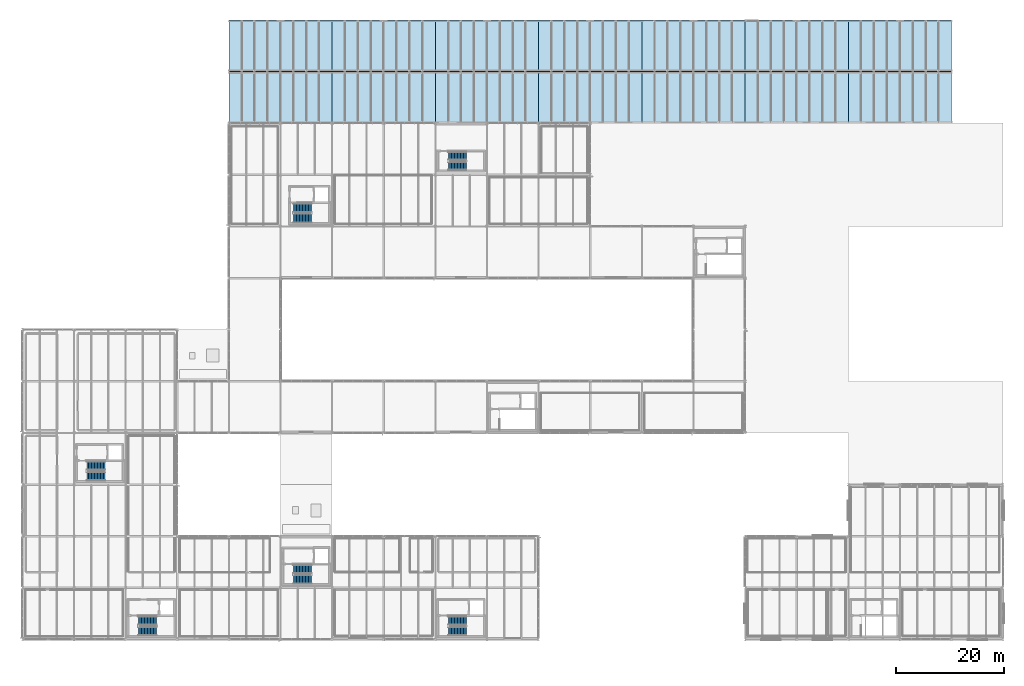
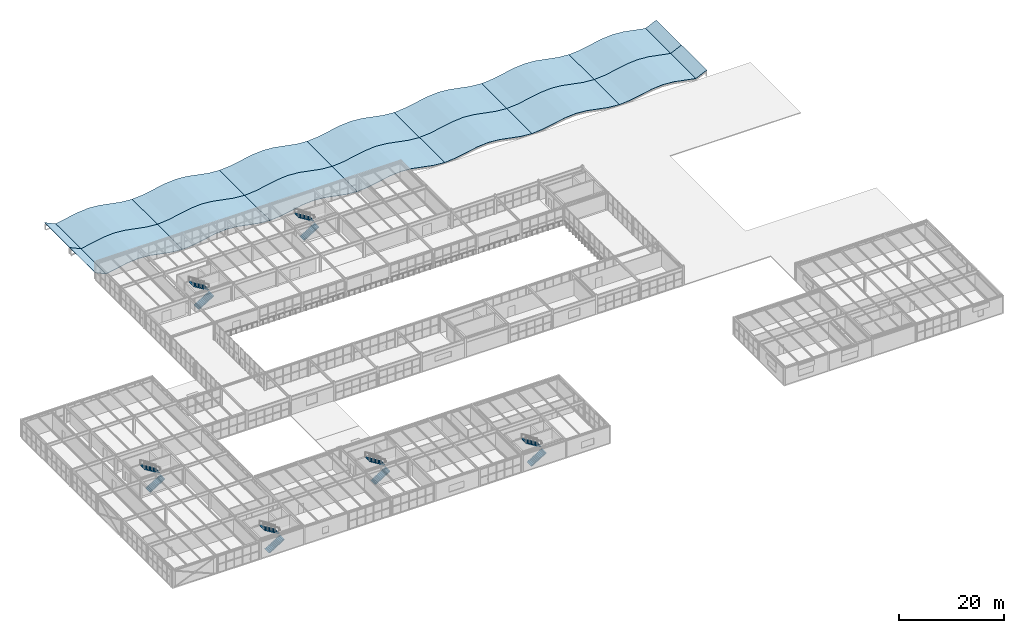
# One storey, part 157 of 170: 14 roofs, 12 stair flights, 6 elements without a shape of their own.
"""IFC4 building model written with IfcOpenShell, lengths in metres."""

import ifcopenshell
import ifcopenshell.guid

model = None  # the IFC model being written
_history = None  # IfcOwnerHistory: only IFC2X3 demands one
_inside = {}  # id of a spatial element -> (the spatial element, [elements in it])
_under = {}  # id of a project, library or spatial element -> (it, [spatial elements below it])
_declared = {}  # id of a project -> (the project, [libraries it declares])
_typed = {}  # id of a type object -> (the type object, [elements of that type])
_made_of = {}  # id of a material, layer set ... -> (it, [elements and type objects made of it])


def new_model(schema):
    """Start an empty IFC model of exactly this schema.

    Asked for "IFC4X3", IfcOpenShell would pick the latest addendum, in which some entities
    have other attributes; the version numbers below select the first issue.
    IFC2X3 requires an IfcOwnerHistory on every rooted entity: one is made here for all.
    """
    global model, _history
    if schema == "IFC4X3":
        model = ifcopenshell.file(schema_version=(4, 3, 0, 0))
    else:
        model = ifcopenshell.file(schema=schema)
    _inside.clear()
    _under.clear()
    _declared.clear()
    _typed.clear()
    _made_of.clear()
    _history = None
    if model.schema == "IFC2X3":
        org = make("IfcOrganization", Name="unknown")
        user = make(
            "IfcPersonAndOrganization",
            ThePerson=make("IfcPerson", FamilyName="unknown"),
            TheOrganization=org,
        )
        app = make(
            "IfcApplication",
            ApplicationDeveloper=org,
            Version="unknown",
            ApplicationFullName="unknown",
            ApplicationIdentifier="unknown",
        )
        _history = make(
            "IfcOwnerHistory",
            OwningUser=user,
            OwningApplication=app,
            ChangeAction="ADDED",
            CreationDate=0,
        )
    return model


def make(cls, **values):
    """One entity of the class cls with the attributes given. An attribute that is None is left unset."""
    return model.create_entity(
        cls, **{name: value for name, value in values.items() if value is not None}
    )


def rooted(cls, **values):
    """An entity with a GlobalId (a new one), such as an element, a storey or a relation."""
    return make(cls, GlobalId=ifcopenshell.guid.new(), OwnerHistory=_history, **values)


def si_unit(unit_type, name, prefix=None):
    """IfcSIUnit, for example si_unit("LENGTHUNIT", "METRE", prefix="MILLI")."""
    return make("IfcSIUnit", UnitType=unit_type, Prefix=prefix, Name=name)


def assignment(units):
    """IfcUnitAssignment: the units of a project."""
    return None if units is None else make("IfcUnitAssignment", Units=units)


def point(xyz):
    """IfcCartesianPoint."""
    return None if xyz is None else make("IfcCartesianPoint", Coordinates=xyz)


def direction(xyz):
    """IfcDirection."""
    return None if xyz is None else make("IfcDirection", DirectionRatios=xyz)


def frame(location, z_axis=None, x_axis=None):
    """IfcAxis2Placement3D, a coordinate frame: its origin and axes. An axis left out is left unset."""
    return make(
        "IfcAxis2Placement3D",
        Location=point(location),
        Axis=direction(z_axis),
        RefDirection=direction(x_axis),
    )


def origin():
    """The frame at (0, 0, 0) with its axes left unset."""
    return frame((0.0, 0.0, 0.0))


def place(relative_to, where):
    """IfcLocalPlacement: puts the frame where relative to a parent placement (None: the world)."""
    return make(
        "IfcLocalPlacement", PlacementRelTo=relative_to, RelativePlacement=where
    )


def context(
    kind, dimensions, precision=None, world=None, true_north=None, identifier=None
):
    """IfcGeometricRepresentationContext, for example the 3D "Model" context."""
    return make(
        "IfcGeometricRepresentationContext",
        ContextIdentifier=identifier,
        ContextType=kind,
        CoordinateSpaceDimension=dimensions,
        Precision=precision,
        WorldCoordinateSystem=world,
        TrueNorth=true_north,
    )


def subcontext(parent, identifier, kind, view, scale=None):
    """IfcGeometricRepresentationSubContext, for example "Body" below "Model"."""
    return make(
        "IfcGeometricRepresentationSubContext",
        ContextIdentifier=identifier,
        ContextType=kind,
        ParentContext=parent,
        TargetScale=scale,
        TargetView=view,
    )


def project(units=None, contexts=None):
    """IfcProject with its units and contexts."""
    return rooted(
        "IfcProject",
        Name="project",
        RepresentationContexts=contexts,
        UnitsInContext=assignment(units),
    )


def spatial(cls, under=None, at=None, **own):
    """A site, building, storey or space (cls), placed at a placement, below another one or the project."""
    s = rooted(cls, ObjectPlacement=at, **own)
    if under is not None:
        _under.setdefault(under.id(), (under, []))[1].append(s)
    return s


def polyline(points):
    """IfcPolyline through the points."""
    return make("IfcPolyline", Points=[point(p) for p in points])


def outline(outer, holes=None, kind="AREA"):
    """IfcArbitraryClosedProfileDef: a profile drawn as a closed curve; with holes, ...WithVoids."""
    if holes is None:
        return make("IfcArbitraryClosedProfileDef", ProfileType=kind, OuterCurve=outer)
    return make(
        "IfcArbitraryProfileDefWithVoids",
        ProfileType=kind,
        OuterCurve=outer,
        InnerCurves=holes,
    )


def extrude(swept, where, along, depth):
    """IfcExtrudedAreaSolid: the profile swept, set in the frame where, extruded along a direction by depth."""
    return make(
        "IfcExtrudedAreaSolid",
        SweptArea=swept,
        Position=where,
        ExtrudedDirection=direction(along),
        Depth=depth,
    )


def shape(context_of_items, identifier, shape_type, items):
    """IfcShapeRepresentation: the items that make up one representation, for example the "Body"."""
    return make(
        "IfcShapeRepresentation",
        ContextOfItems=context_of_items,
        RepresentationIdentifier=identifier,
        RepresentationType=shape_type,
        Items=items,
    )


def material(Name=None, Category=None):
    """IfcMaterial."""
    return make("IfcMaterial", Name=Name, Category=Category)


def layer(
    of_material, thickness, ventilated=None, Name=None, Category=None, Priority=None
):
    """IfcMaterialLayer: one layer of a wall or slab, of a material (None: an air gap)."""
    return make(
        "IfcMaterialLayer",
        Material=of_material,
        LayerThickness=thickness,
        IsVentilated=ventilated,
        Name=Name,
        Category=Category,
        Priority=Priority,
    )


def layer_set(layers, Name=None):
    """IfcMaterialLayerSet."""
    return make("IfcMaterialLayerSet", MaterialLayers=layers, LayerSetName=Name)


def made_of(thing, what):
    """Note that an element or type object is made of a material, layer set ...; save() writes the relation."""
    if what is not None:
        _made_of.setdefault(what.id(), (what, []))[1].append(thing)
    return thing


def type_object(cls, material=None, **own):
    """A type object (cls), such as IfcWallType, which elements share."""
    return made_of(rooted(cls, **own), material)


def element(
    cls,
    number,
    at=None,
    inside=None,
    cuts=None,
    type_object=None,
    material=None,
    context=None,
    identifier="Body",
    shape_type=None,
    held_by="IfcProductDefinitionShape",
    body=None,
    shapes=None,
    **own,
):
    """One element of the class cls, such as IfcWall. Its Tag is "e" and its number.

    at: its placement. inside: the storey or other place that contains it. cuts: it is an
    opening in that element (IfcRelVoidsElement). A single representation is given by context,
    identifier, shape_type and body (its items); several are given by shapes. held_by: the class
    of the entity that holds the representations. save() writes the other relations.
    """
    e = rooted(cls, Tag="e%d" % number, ObjectPlacement=at, **own)
    if body is not None:
        shapes = [shape(context, identifier, shape_type, body)]
    if shapes is not None:
        e.Representation = make(held_by, Representations=shapes)
    if inside is not None:
        _inside.setdefault(inside.id(), (inside, []))[1].append(e)
    if cuts is not None:
        rooted(
            "IfcRelVoidsElement", RelatingBuildingElement=cuts, RelatedOpeningElement=e
        )
    if type_object is not None:
        _typed.setdefault(type_object.id(), (type_object, []))[1].append(e)
    return made_of(e, material)


def aggregate(whole, parts):
    """IfcRelAggregates: a whole, such as a stair, and the parts it consists of."""
    return rooted("IfcRelAggregates", RelatingObject=whole, RelatedObjects=parts)


def save(model, path):
    """Write the relations noted so far, then the file.

    IfcRelAggregates (storeys below a building ...), IfcRelContainedInSpatialStructure (elements
    in a storey), IfcRelDefinesByType, IfcRelAssociatesMaterial and IfcRelDeclares: one each for
    every whole, place, type object, material and project.
    """
    for whole, parts in _under.values():
        aggregate(whole, parts)
    for where, things in _inside.values():
        rooted(
            "IfcRelContainedInSpatialStructure",
            RelatedElements=things,
            RelatingStructure=where,
        )
    for kind, things in _typed.values():
        rooted("IfcRelDefinesByType", RelatedObjects=things, RelatingType=kind)
    for what, things in _made_of.values():
        rooted("IfcRelAssociatesMaterial", RelatedObjects=things, RelatingMaterial=what)
    for by, libraries in _declared.values():
        rooted("IfcRelDeclares", RelatingContext=by, RelatedDefinitions=libraries)
    model.write(path)


model = new_model("IFC4")

# Units and contexts
model_context = context("Model", 3, precision=1e-05, world=origin(), true_north=direction((0.0, 1.0)))
body_context = subcontext(model_context, "Body", "Model", "MODEL_VIEW")
ifc_project = project(units=[si_unit("LENGTHUNIT", "METRE"), si_unit("AREAUNIT", "SQUARE_METRE"), si_unit("VOLUMEUNIT", "CUBIC_METRE"), si_unit("PLANEANGLEUNIT", "RADIAN"), si_unit("MASSUNIT", "GRAM", prefix="KILO")], contexts=[model_context])

# Site, building, storey
site_placement = place(None, origin())
site = spatial("IfcSite", under=ifc_project, at=site_placement, CompositionType="ELEMENT")
building_placement = place(site_placement, origin())
building = spatial("IfcBuilding", under=site, at=building_placement, Name="Coralgate Yard Interchange", CompositionType="ELEMENT")
storey_placement = place(building_placement, frame((0.0, 0.0, 6.0)))
storey = spatial("IfcBuildingStorey", under=building, at=storey_placement, Name="L01", CompositionType="ELEMENT", Elevation=6.0)

# Stair, stair flights
ifc_material_1 = material(Name="Concrete C40/50", Category="concrete")
stair_type_1 = type_object("IfcStairType", Name="STR-DL-158-45", PredefinedType="HALF_TURN_STAIR", material=ifc_material_1)
stair_1_placement = place(storey_placement, origin())
stair_1 = element("IfcStair", 1, at=stair_1_placement, inside=storey, type_object=stair_type_1, Name="L01 Escape stair ST-09", PredefinedType="HALF_TURN_STAIR")
stair_flight_type_1 = type_object("IfcStairFlightType", Name="STF-DL-158-45", PredefinedType="STRAIGHT", material=ifc_material_1)
stair_flight_1_placement = place(storey_placement, frame((79.199951171875, 88.050048828125, 0.0), z_axis=(0.0, 0.0, 1.0), x_axis=(1.0, 0.0, 0.0)))
stair_flight_1 = element("IfcStairFlight", 2, at=stair_flight_1_placement, type_object=stair_flight_type_1, Name="ST-09 flight 1", NumberOfRisers=13, NumberOfTreads=12, PredefinedType="STRAIGHT", RiserHeight=0.173076923, TreadLength=0.28, context=body_context, shape_type="SweptSolid", body=[
    extrude(outline(polyline([(0.0, 0.0), (0.0, 0.173095703125), (0.280029296875, 0.173095703125), (0.280029296875, 0.34619140625), (0.56005859375, 0.34619140625), (0.56005859375, 0.519287109375), (0.840087890625, 0.519287109375), (0.840087890625, 0.6923828125), (1.1201171875, 0.6923828125), (1.1201171875, 0.865478515625), (1.39990234375, 0.865478515625), (1.39990234375, 1.03857421875), (1.679931640625, 1.03857421875), (1.679931640625, 1.21142578125), (1.9599609375, 1.21142578125), (1.9599609375, 1.384521484375), (2.239990234375, 1.384521484375), (2.239990234375, 1.5576171875), (2.52001953125, 1.5576171875), (2.52001953125, 1.730712890625), (2.800048828125, 1.730712890625), (2.800048828125, 1.90380859375), (3.080078125, 1.90380859375), (3.080078125, 2.076904296875), (3.360107421875, 2.076904296875), (3.360107421875, 2.25), (3.360107421875, 1.888916015625), (0.30419921875, 0.0), (0.0, 0.0)])), frame((0.0, 0.7900390625, 0.0), z_axis=(0.0, -1.0, 0.0), x_axis=(1.0, 0.0, 0.0)), (0.0, 0.0, 1.0), 1.580078125),
])
stair_flight_2_placement = place(storey_placement, frame((82.56005859375, 89.919921875, 2.25), z_axis=(0.0, 0.0, 1.0), x_axis=(-1.0, 0.0, 0.0)))
stair_flight_2 = element("IfcStairFlight", 3, at=stair_flight_2_placement, type_object=stair_flight_type_1, Name="ST-09 flight 2", NumberOfRisers=13, NumberOfTreads=12, PredefinedType="STRAIGHT", RiserHeight=0.173076923, TreadLength=0.28, context=body_context, shape_type="SweptSolid", body=[
    extrude(outline(polyline([(0.0, 0.0), (0.0, 0.173095703125), (0.280029296875, 0.173095703125), (0.280029296875, 0.34619140625), (0.56005859375, 0.34619140625), (0.56005859375, 0.519287109375), (0.840087890625, 0.519287109375), (0.840087890625, 0.6923828125), (1.1201171875, 0.6923828125), (1.1201171875, 0.865478515625), (1.39990234375, 0.865478515625), (1.39990234375, 1.03857421875), (1.679931640625, 1.03857421875), (1.679931640625, 1.21142578125), (1.9599609375, 1.21142578125), (1.9599609375, 1.384521484375), (2.239990234375, 1.384521484375), (2.239990234375, 1.5576171875), (2.52001953125, 1.5576171875), (2.52001953125, 1.730712890625), (2.800048828125, 1.730712890625), (2.800048828125, 1.90380859375), (3.080078125, 1.90380859375), (3.080078125, 2.076904296875), (3.360107421875, 2.076904296875), (3.360107421875, 2.25), (3.360107421875, 1.888916015625), (0.30419921875, 0.0), (0.0, 0.0)])), frame((0.0, 0.7900390625, 0.0), z_axis=(0.0, -1.0, 0.0), x_axis=(1.0, 0.0, 0.0)), (0.0, 0.0, 1.0), 1.580078125),
])
aggregate(stair_1, [stair_flight_1, stair_flight_2])

stair_type_2 = type_object("IfcStairType", Name="STR-DL-165-45", PredefinedType="HALF_TURN_STAIR", material=ifc_material_1)
stair_2_placement = place(storey_placement, origin())
stair_2 = element("IfcStair", 4, at=stair_2_placement, inside=storey, type_object=stair_type_2, Name="L01 Escape stair ST-01", PredefinedType="HALF_TURN_STAIR")
stair_flight_type_2 = type_object("IfcStairFlightType", Name="STF-DL-165-45", PredefinedType="STRAIGHT", material=ifc_material_1)
stair_flight_3_placement = place(storey_placement, frame((12.0, 30.344970703125, 0.0), z_axis=(0.0, 0.0, 1.0), x_axis=(1.0, 0.0, 0.0)))
stair_flight_3 = element("IfcStairFlight", 5, at=stair_flight_3_placement, type_object=stair_flight_type_2, Name="ST-01 flight 1", NumberOfRisers=13, NumberOfTreads=12, PredefinedType="STRAIGHT", RiserHeight=0.173076923, TreadLength=0.28, context=body_context, shape_type="SweptSolid", body=[
    extrude(outline(polyline([(0.0, 0.0), (0.0, 0.173095703125), (0.280029296875, 0.173095703125), (0.280029296875, 0.34619140625), (0.56005859375, 0.34619140625), (0.56005859375, 0.519287109375), (0.840087890625, 0.519287109375), (0.840087890625, 0.6923828125), (1.1201171875, 0.6923828125), (1.1201171875, 0.865478515625), (1.39990234375, 0.865478515625), (1.39990234375, 1.03857421875), (1.679931640625, 1.03857421875), (1.679931640625, 1.21142578125), (1.9599609375, 1.21142578125), (1.9599609375, 1.384521484375), (2.239990234375, 1.384521484375), (2.239990234375, 1.5576171875), (2.52001953125, 1.5576171875), (2.52001953125, 1.730712890625), (2.800048828125, 1.730712890625), (2.800048828125, 1.90380859375), (3.080078125, 1.90380859375), (3.080078125, 2.076904296875), (3.360107421875, 2.076904296875), (3.360107421875, 2.25), (3.360107421875, 1.888916015625), (0.30419921875, 0.0), (0.0, 0.0)])), frame((0.0, 0.824951171875, 0.0), z_axis=(0.0, -1.0, 0.0), x_axis=(1.0, 0.0, 0.0)), (0.0, 0.0, 1.0), 1.64990234375),
])
stair_flight_4_placement = place(storey_placement, frame((15.360107421875, 32.284912109375, 2.25), z_axis=(0.0, 0.0, 1.0), x_axis=(-1.0, 0.0, 0.0)))
stair_flight_4 = element("IfcStairFlight", 6, at=stair_flight_4_placement, type_object=stair_flight_type_2, Name="ST-01 flight 2", NumberOfRisers=13, NumberOfTreads=12, PredefinedType="STRAIGHT", RiserHeight=0.173076923, TreadLength=0.28, context=body_context, shape_type="SweptSolid", body=[
    extrude(outline(polyline([(0.0, 0.0), (0.0, 0.173095703125), (0.280029296875, 0.173095703125), (0.280029296875, 0.34619140625), (0.56005859375, 0.34619140625), (0.56005859375, 0.519287109375), (0.840087890625, 0.519287109375), (0.840087890625, 0.6923828125), (1.1201171875, 0.6923828125), (1.1201171875, 0.865478515625), (1.39990234375, 0.865478515625), (1.39990234375, 1.03857421875), (1.679931640625, 1.03857421875), (1.679931640625, 1.21142578125), (1.9599609375, 1.21142578125), (1.9599609375, 1.384521484375), (2.239990234375, 1.384521484375), (2.239990234375, 1.5576171875), (2.52001953125, 1.5576171875), (2.52001953125, 1.730712890625), (2.800048828125, 1.730712890625), (2.800048828125, 1.90380859375), (3.080078125, 1.90380859375), (3.080078125, 2.076904296875), (3.360107421875, 2.076904296875), (3.360107421875, 2.25), (3.360107421875, 1.888916015625), (0.30419921875, 0.0), (0.0, 0.0)])), frame((0.0, 0.824951171875, 0.0), z_axis=(0.0, -1.0, 0.0), x_axis=(1.0, 0.0, 0.0)), (0.0, 0.0, 1.0), 1.64990234375),
])
aggregate(stair_2, [stair_flight_3, stair_flight_4])

stair_3_placement = place(storey_placement, origin())
stair_3 = element("IfcStair", 7, at=stair_3_placement, inside=storey, type_object=stair_type_2, Name="L01 Escape stair ST-02", PredefinedType="HALF_TURN_STAIR")
stair_flight_5_placement = place(storey_placement, frame((50.39990234375, 11.14501953125, 0.0), z_axis=(0.0, 0.0, 1.0), x_axis=(1.0, 0.0, 0.0)))
stair_flight_5 = element("IfcStairFlight", 8, at=stair_flight_5_placement, type_object=stair_flight_type_2, Name="ST-02 flight 1", NumberOfRisers=13, NumberOfTreads=12, PredefinedType="STRAIGHT", RiserHeight=0.173076923, TreadLength=0.28, context=body_context, shape_type="SweptSolid", body=[
    extrude(outline(polyline([(0.0, 0.0), (0.0, 0.173095703125), (0.280029296875, 0.173095703125), (0.280029296875, 0.34619140625), (0.56005859375, 0.34619140625), (0.56005859375, 0.519287109375), (0.840087890625, 0.519287109375), (0.840087890625, 0.6923828125), (1.1201171875, 0.6923828125), (1.1201171875, 0.865478515625), (1.39990234375, 0.865478515625), (1.39990234375, 1.03857421875), (1.679931640625, 1.03857421875), (1.679931640625, 1.21142578125), (1.9599609375, 1.21142578125), (1.9599609375, 1.384521484375), (2.239990234375, 1.384521484375), (2.239990234375, 1.5576171875), (2.52001953125, 1.5576171875), (2.52001953125, 1.730712890625), (2.800048828125, 1.730712890625), (2.800048828125, 1.90380859375), (3.080078125, 1.90380859375), (3.080078125, 2.076904296875), (3.360107421875, 2.076904296875), (3.360107421875, 2.25), (3.360107421875, 1.888916015625), (0.30419921875, 0.0), (0.0, 0.0)])), frame((0.0, 0.824951171875, 0.0), z_axis=(0.0, -1.0, 0.0), x_axis=(1.0, 0.0, 0.0)), (0.0, 0.0, 1.0), 1.64990234375),
])
stair_flight_6_placement = place(storey_placement, frame((53.760009765625, 13.0849609375, 2.25), z_axis=(0.0, 0.0, 1.0), x_axis=(-1.0, 0.0, 0.0)))
stair_flight_6 = element("IfcStairFlight", 9, at=stair_flight_6_placement, type_object=stair_flight_type_2, Name="ST-02 flight 2", NumberOfRisers=13, NumberOfTreads=12, PredefinedType="STRAIGHT", RiserHeight=0.173076923, TreadLength=0.28, context=body_context, shape_type="SweptSolid", body=[
    extrude(outline(polyline([(0.0, 0.0), (0.0, 0.173095703125), (0.280029296875, 0.173095703125), (0.280029296875, 0.34619140625), (0.56005859375, 0.34619140625), (0.56005859375, 0.519287109375), (0.840087890625, 0.519287109375), (0.840087890625, 0.6923828125), (1.1201171875, 0.6923828125), (1.1201171875, 0.865478515625), (1.39990234375, 0.865478515625), (1.39990234375, 1.03857421875), (1.679931640625, 1.03857421875), (1.679931640625, 1.21142578125), (1.9599609375, 1.21142578125), (1.9599609375, 1.384521484375), (2.239990234375, 1.384521484375), (2.239990234375, 1.5576171875), (2.52001953125, 1.5576171875), (2.52001953125, 1.730712890625), (2.800048828125, 1.730712890625), (2.800048828125, 1.90380859375), (3.080078125, 1.90380859375), (3.080078125, 2.076904296875), (3.360107421875, 2.076904296875), (3.360107421875, 2.25), (3.360107421875, 1.888916015625), (0.30419921875, 0.0), (0.0, 0.0)])), frame((0.0, 0.824951171875, 0.0), z_axis=(0.0, -1.0, 0.0), x_axis=(1.0, 0.0, 0.0)), (0.0, 0.0, 1.0), 1.64990234375),
])
aggregate(stair_3, [stair_flight_5, stair_flight_6])

stair_4_placement = place(storey_placement, origin())
stair_4 = element("IfcStair", 10, at=stair_4_placement, inside=storey, type_object=stair_type_2, Name="L01 Escape stair ST-03", PredefinedType="HALF_TURN_STAIR")
stair_flight_7_placement = place(storey_placement, frame((21.60009765625, 1.544921875, 0.0), z_axis=(0.0, 0.0, 1.0), x_axis=(1.0, 0.0, 0.0)))
stair_flight_7 = element("IfcStairFlight", 11, at=stair_flight_7_placement, type_object=stair_flight_type_2, Name="ST-03 flight 1", NumberOfRisers=13, NumberOfTreads=12, PredefinedType="STRAIGHT", RiserHeight=0.173076923, TreadLength=0.28, context=body_context, shape_type="SweptSolid", body=[
    extrude(outline(polyline([(0.0, 0.0), (0.0, 0.173095703125), (0.280029296875, 0.173095703125), (0.280029296875, 0.34619140625), (0.56005859375, 0.34619140625), (0.56005859375, 0.519287109375), (0.840087890625, 0.519287109375), (0.840087890625, 0.6923828125), (1.1201171875, 0.6923828125), (1.1201171875, 0.865478515625), (1.39990234375, 0.865478515625), (1.39990234375, 1.03857421875), (1.679931640625, 1.03857421875), (1.679931640625, 1.21142578125), (1.9599609375, 1.21142578125), (1.9599609375, 1.384521484375), (2.239990234375, 1.384521484375), (2.239990234375, 1.5576171875), (2.52001953125, 1.5576171875), (2.52001953125, 1.730712890625), (2.800048828125, 1.730712890625), (2.800048828125, 1.90380859375), (3.080078125, 1.90380859375), (3.080078125, 2.076904296875), (3.360107421875, 2.076904296875), (3.360107421875, 2.25), (3.360107421875, 1.888916015625), (0.30419921875, 0.0), (0.0, 0.0)])), frame((0.0, 0.824951171875, 0.0), z_axis=(0.0, -1.0, 0.0), x_axis=(1.0, 0.0, 0.0)), (0.0, 0.0, 1.0), 1.64990234375),
])
stair_flight_8_placement = place(storey_placement, frame((24.9599609375, 3.485107421875, 2.25), z_axis=(0.0, 0.0, 1.0), x_axis=(-1.0, 0.0, 0.0)))
stair_flight_8 = element("IfcStairFlight", 12, at=stair_flight_8_placement, type_object=stair_flight_type_2, Name="ST-03 flight 2", NumberOfRisers=13, NumberOfTreads=12, PredefinedType="STRAIGHT", RiserHeight=0.173076923, TreadLength=0.28, context=body_context, shape_type="SweptSolid", body=[
    extrude(outline(polyline([(0.0, 0.0), (0.0, 0.173095703125), (0.280029296875, 0.173095703125), (0.280029296875, 0.34619140625), (0.56005859375, 0.34619140625), (0.56005859375, 0.519287109375), (0.840087890625, 0.519287109375), (0.840087890625, 0.6923828125), (1.1201171875, 0.6923828125), (1.1201171875, 0.865478515625), (1.39990234375, 0.865478515625), (1.39990234375, 1.03857421875), (1.679931640625, 1.03857421875), (1.679931640625, 1.21142578125), (1.9599609375, 1.21142578125), (1.9599609375, 1.384521484375), (2.239990234375, 1.384521484375), (2.239990234375, 1.5576171875), (2.52001953125, 1.5576171875), (2.52001953125, 1.730712890625), (2.800048828125, 1.730712890625), (2.800048828125, 1.90380859375), (3.080078125, 1.90380859375), (3.080078125, 2.076904296875), (3.360107421875, 2.076904296875), (3.360107421875, 2.25), (3.360107421875, 1.888916015625), (0.30419921875, 0.0), (0.0, 0.0)])), frame((0.0, 0.824951171875, 0.0), z_axis=(0.0, -1.0, 0.0), x_axis=(1.0, 0.0, 0.0)), (0.0, 0.0, 1.0), 1.64990234375),
])
aggregate(stair_4, [stair_flight_7, stair_flight_8])

stair_5_placement = place(storey_placement, origin())
stair_5 = element("IfcStair", 13, at=stair_5_placement, inside=storey, type_object=stair_type_2, Name="L01 Escape stair ST-04", PredefinedType="HALF_TURN_STAIR")
stair_flight_9_placement = place(storey_placement, frame((79.199951171875, 1.544921875, 0.0), z_axis=(0.0, 0.0, 1.0), x_axis=(1.0, 0.0, 0.0)))
stair_flight_9 = element("IfcStairFlight", 14, at=stair_flight_9_placement, type_object=stair_flight_type_2, Name="ST-04 flight 1", NumberOfRisers=13, NumberOfTreads=12, PredefinedType="STRAIGHT", RiserHeight=0.173076923, TreadLength=0.28, context=body_context, shape_type="SweptSolid", body=[
    extrude(outline(polyline([(0.0, 0.0), (0.0, 0.173095703125), (0.280029296875, 0.173095703125), (0.280029296875, 0.34619140625), (0.56005859375, 0.34619140625), (0.56005859375, 0.519287109375), (0.840087890625, 0.519287109375), (0.840087890625, 0.6923828125), (1.1201171875, 0.6923828125), (1.1201171875, 0.865478515625), (1.39990234375, 0.865478515625), (1.39990234375, 1.03857421875), (1.679931640625, 1.03857421875), (1.679931640625, 1.21142578125), (1.9599609375, 1.21142578125), (1.9599609375, 1.384521484375), (2.239990234375, 1.384521484375), (2.239990234375, 1.5576171875), (2.52001953125, 1.5576171875), (2.52001953125, 1.730712890625), (2.800048828125, 1.730712890625), (2.800048828125, 1.90380859375), (3.080078125, 1.90380859375), (3.080078125, 2.076904296875), (3.360107421875, 2.076904296875), (3.360107421875, 2.25), (3.360107421875, 1.888916015625), (0.30419921875, 0.0), (0.0, 0.0)])), frame((0.0, 0.824951171875, 0.0), z_axis=(0.0, -1.0, 0.0), x_axis=(1.0, 0.0, 0.0)), (0.0, 0.0, 1.0), 1.64990234375),
])
stair_flight_10_placement = place(storey_placement, frame((82.56005859375, 3.485107421875, 2.25), z_axis=(0.0, 0.0, 1.0), x_axis=(-1.0, 0.0, 0.0)))
stair_flight_10 = element("IfcStairFlight", 15, at=stair_flight_10_placement, type_object=stair_flight_type_2, Name="ST-04 flight 2", NumberOfRisers=13, NumberOfTreads=12, PredefinedType="STRAIGHT", RiserHeight=0.173076923, TreadLength=0.28, context=body_context, shape_type="SweptSolid", body=[
    extrude(outline(polyline([(0.0, 0.0), (0.0, 0.173095703125), (0.280029296875, 0.173095703125), (0.280029296875, 0.34619140625), (0.56005859375, 0.34619140625), (0.56005859375, 0.519287109375), (0.840087890625, 0.519287109375), (0.840087890625, 0.6923828125), (1.1201171875, 0.6923828125), (1.1201171875, 0.865478515625), (1.39990234375, 0.865478515625), (1.39990234375, 1.03857421875), (1.679931640625, 1.03857421875), (1.679931640625, 1.21142578125), (1.9599609375, 1.21142578125), (1.9599609375, 1.384521484375), (2.239990234375, 1.384521484375), (2.239990234375, 1.5576171875), (2.52001953125, 1.5576171875), (2.52001953125, 1.730712890625), (2.800048828125, 1.730712890625), (2.800048828125, 1.90380859375), (3.080078125, 1.90380859375), (3.080078125, 2.076904296875), (3.360107421875, 2.076904296875), (3.360107421875, 2.25), (3.360107421875, 1.888916015625), (0.30419921875, 0.0), (0.0, 0.0)])), frame((0.0, 0.824951171875, 0.0), z_axis=(0.0, -1.0, 0.0), x_axis=(1.0, 0.0, 0.0)), (0.0, 0.0, 1.0), 1.64990234375),
])
aggregate(stair_5, [stair_flight_9, stair_flight_10])

stair_type_3 = type_object("IfcStairType", Name="STR-DL-175-45", PredefinedType="HALF_TURN_STAIR", material=ifc_material_1)
stair_6_placement = place(storey_placement, origin())
stair_6 = element("IfcStair", 16, at=stair_6_placement, inside=storey, type_object=stair_type_3, Name="L01 Escape stair ST-05", PredefinedType="HALF_TURN_STAIR")
stair_flight_type_3 = type_object("IfcStairFlightType", Name="STF-DL-175-45", PredefinedType="STRAIGHT", material=ifc_material_1)
stair_flight_11_placement = place(storey_placement, frame((50.39990234375, 78.324951171875, 0.0), z_axis=(0.0, 0.0, 1.0), x_axis=(1.0, 0.0, 0.0)))
stair_flight_11 = element("IfcStairFlight", 17, at=stair_flight_11_placement, type_object=stair_flight_type_3, Name="ST-05 flight 1", NumberOfRisers=13, NumberOfTreads=12, PredefinedType="STRAIGHT", RiserHeight=0.173076923, TreadLength=0.28, context=body_context, shape_type="SweptSolid", body=[
    extrude(outline(polyline([(0.0, 0.0), (0.0, 0.173095703125), (0.280029296875, 0.173095703125), (0.280029296875, 0.34619140625), (0.56005859375, 0.34619140625), (0.56005859375, 0.519287109375), (0.840087890625, 0.519287109375), (0.840087890625, 0.6923828125), (1.1201171875, 0.6923828125), (1.1201171875, 0.865478515625), (1.39990234375, 0.865478515625), (1.39990234375, 1.03857421875), (1.679931640625, 1.03857421875), (1.679931640625, 1.21142578125), (1.9599609375, 1.21142578125), (1.9599609375, 1.384521484375), (2.239990234375, 1.384521484375), (2.239990234375, 1.5576171875), (2.52001953125, 1.5576171875), (2.52001953125, 1.730712890625), (2.800048828125, 1.730712890625), (2.800048828125, 1.90380859375), (3.080078125, 1.90380859375), (3.080078125, 2.076904296875), (3.360107421875, 2.076904296875), (3.360107421875, 2.25), (3.360107421875, 1.888916015625), (0.30419921875, 0.0), (0.0, 0.0)])), frame((0.0, 0.875, 0.0), z_axis=(0.0, -1.0, 0.0), x_axis=(1.0, 0.0, 0.0)), (0.0, 0.0, 1.0), 1.75),
])
stair_flight_12_placement = place(storey_placement, frame((53.760009765625, 80.235107421875, 2.25), z_axis=(0.0, 0.0, 1.0), x_axis=(-1.0, 0.0, 0.0)))
stair_flight_12 = element("IfcStairFlight", 18, at=stair_flight_12_placement, type_object=stair_flight_type_3, Name="ST-05 flight 2", NumberOfRisers=13, NumberOfTreads=12, PredefinedType="STRAIGHT", RiserHeight=0.173076923, TreadLength=0.28, context=body_context, shape_type="SweptSolid", body=[
    extrude(outline(polyline([(0.0, 0.0), (0.0, 0.173095703125), (0.280029296875, 0.173095703125), (0.280029296875, 0.34619140625), (0.56005859375, 0.34619140625), (0.56005859375, 0.519287109375), (0.840087890625, 0.519287109375), (0.840087890625, 0.6923828125), (1.1201171875, 0.6923828125), (1.1201171875, 0.865478515625), (1.39990234375, 0.865478515625), (1.39990234375, 1.03857421875), (1.679931640625, 1.03857421875), (1.679931640625, 1.21142578125), (1.9599609375, 1.21142578125), (1.9599609375, 1.384521484375), (2.239990234375, 1.384521484375), (2.239990234375, 1.5576171875), (2.52001953125, 1.5576171875), (2.52001953125, 1.730712890625), (2.800048828125, 1.730712890625), (2.800048828125, 1.90380859375), (3.080078125, 1.90380859375), (3.080078125, 2.076904296875), (3.360107421875, 2.076904296875), (3.360107421875, 2.25), (3.360107421875, 1.888916015625), (0.30419921875, 0.0), (0.0, 0.0)])), frame((0.0, 0.875, 0.0), z_axis=(0.0, -1.0, 0.0), x_axis=(1.0, 0.0, 0.0)), (0.0, 0.0, 1.0), 1.75),
])
aggregate(stair_6, [stair_flight_11, stair_flight_12])

# Roofs
ifc_material_2 = material(Name="White PVDF-coated aluminium wave-shell roof assembly", Category="aluminium")
ifc_layer = layer(ifc_material_2, 0.10009765625)
ifc_layer_set = layer_set([ifc_layer], Name="White PVDF-coated aluminium wave-shell roof assembly")
roof_type = type_object("IfcRoofType", Name="ROF-WS1", PredefinedType="BARREL_ROOF", material=ifc_layer_set)
roof_1_placement = place(storey_placement, frame((38.39990234375, 96.0, 1.550048828125), z_axis=(0.0, 1.0, 0.0), x_axis=(-1.0, 0.0, 0.0)))
element("IfcRoof", 19, at=roof_1_placement, inside=storey, type_object=roof_type, Name="Light white upturned-end bus wave shell R1-W1", PredefinedType="BARREL_ROOF", context=body_context, shape_type="SweptSolid", body=[
    extrude(outline(polyline([(0.0, 0.0), (-2.400146484375, -1.109619140625), (-4.800048828125, -0.650146484375), (-7.2001953125, -0.1904296875), (-9.60009765625, 0.0), (-12.0, -0.1904296875), (-14.400146484375, -0.650146484375), (-16.800048828125, -1.109619140625), (-19.2001953125, -1.300048828125), (-19.2001953125, -1.400146484375), (-16.800048828125, -1.209716796875), (-14.400146484375, -0.750244140625), (-12.0, -0.29052734375), (-9.60009765625, -0.10009765625), (-7.2001953125, -0.29052734375), (-4.800048828125, -0.750244140625), (-2.400146484375, -1.209716796875), (0.0, -0.10009765625), (0.0, 0.0)])), origin(), (0.0, 0.0, 1.0), 9.60009765625),
])
roof_2_placement = place(storey_placement, frame((57.60009765625, 96.0, 0.25), z_axis=(0.0, 1.0, 0.0), x_axis=(-1.0, 0.0, 0.0)))
element("IfcRoof", 20, at=roof_2_placement, inside=storey, type_object=roof_type, Name="Light white upturned-end bus wave shell R1-W2", PredefinedType="BARREL_ROOF", context=body_context, shape_type="SweptSolid", body=[
    extrude(outline(polyline([(0.0, 0.0), (-2.39990234375, 0.1904296875), (-4.7998046875, 0.64990234375), (-7.199951171875, 1.109619140625), (-9.599853515625, 1.300048828125), (-12.0, 1.109619140625), (-14.39990234375, 0.64990234375), (-16.7998046875, 0.1904296875), (-19.199951171875, 0.0), (-19.199951171875, -0.10009765625), (-16.7998046875, 0.09033203125), (-14.39990234375, 0.5498046875), (-12.0, 1.009521484375), (-9.599853515625, 1.199951171875), (-7.199951171875, 1.009521484375), (-4.7998046875, 0.5498046875), (-2.39990234375, 0.09033203125), (0.0, -0.10009765625), (0.0, 0.0)])), origin(), (0.0, 0.0, 1.0), 9.60009765625),
])
roof_3_placement = place(storey_placement, frame((76.800048828125, 96.0, 0.25), z_axis=(0.0, 1.0, 0.0), x_axis=(-1.0, 0.0, 0.0)))
element("IfcRoof", 21, at=roof_3_placement, inside=storey, type_object=roof_type, Name="Light white upturned-end bus wave shell R1-W3", PredefinedType="BARREL_ROOF", context=body_context, shape_type="SweptSolid", body=[
    extrude(outline(polyline([(0.0, 0.0), (-2.39990234375, 0.1904296875), (-4.800048828125, 0.64990234375), (-7.199951171875, 1.109619140625), (-9.599853515625, 1.300048828125), (-12.0, 1.109619140625), (-14.39990234375, 0.64990234375), (-16.800048828125, 0.1904296875), (-19.199951171875, 0.0), (-19.199951171875, -0.10009765625), (-16.800048828125, 0.09033203125), (-14.39990234375, 0.5498046875), (-12.0, 1.009521484375), (-9.599853515625, 1.199951171875), (-7.199951171875, 1.009521484375), (-4.800048828125, 0.5498046875), (-2.39990234375, 0.09033203125), (0.0, -0.10009765625), (0.0, 0.0)])), origin(), (0.0, 0.0, 1.0), 9.60009765625),
])
roof_4_placement = place(storey_placement, frame((96.0, 96.0, 0.25), z_axis=(0.0, 1.0, 0.0), x_axis=(-1.0, 0.0, 0.0)))
element("IfcRoof", 22, at=roof_4_placement, inside=storey, type_object=roof_type, Name="Light white upturned-end bus wave shell R1-W4", PredefinedType="BARREL_ROOF", context=body_context, shape_type="SweptSolid", body=[
    extrude(outline(polyline([(0.0, 0.0), (-2.39990234375, 0.1904296875), (-4.800048828125, 0.64990234375), (-7.199951171875, 1.109619140625), (-9.60009765625, 1.300048828125), (-12.0, 1.109619140625), (-14.39990234375, 0.64990234375), (-16.800048828125, 0.1904296875), (-19.199951171875, 0.0), (-19.199951171875, -0.10009765625), (-16.800048828125, 0.09033203125), (-14.39990234375, 0.5498046875), (-12.0, 1.009521484375), (-9.60009765625, 1.199951171875), (-7.199951171875, 1.009521484375), (-4.800048828125, 0.5498046875), (-2.39990234375, 0.09033203125), (0.0, -0.10009765625), (0.0, 0.0)])), origin(), (0.0, 0.0, 1.0), 9.60009765625),
])
roof_5_placement = place(storey_placement, frame((115.199951171875, 96.0, 0.25), z_axis=(0.0, 1.0, 0.0), x_axis=(-1.0, 0.0, 0.0)))
element("IfcRoof", 23, at=roof_5_placement, inside=storey, type_object=roof_type, Name="Light white upturned-end bus wave shell R1-W5", PredefinedType="BARREL_ROOF", context=body_context, shape_type="SweptSolid", body=[
    extrude(outline(polyline([(0.0, 0.0), (-2.400146484375, 0.1904296875), (-4.800048828125, 0.64990234375), (-7.199951171875, 1.109619140625), (-9.60009765625, 1.300048828125), (-12.0, 1.109619140625), (-14.400146484375, 0.64990234375), (-16.800048828125, 0.1904296875), (-19.199951171875, 0.0), (-19.199951171875, -0.10009765625), (-16.800048828125, 0.09033203125), (-14.400146484375, 0.5498046875), (-12.0, 1.009521484375), (-9.60009765625, 1.199951171875), (-7.199951171875, 1.009521484375), (-4.800048828125, 0.5498046875), (-2.400146484375, 0.09033203125), (0.0, -0.10009765625), (0.0, 0.0)])), origin(), (0.0, 0.0, 1.0), 9.60009765625),
])
roof_6_placement = place(storey_placement, frame((134.39990234375, 96.0, 0.25), z_axis=(0.0, 1.0, 0.0), x_axis=(-1.0, 0.0, 0.0)))
element("IfcRoof", 24, at=roof_6_placement, inside=storey, type_object=roof_type, Name="Light white upturned-end bus wave shell R1-W6", PredefinedType="BARREL_ROOF", context=body_context, shape_type="SweptSolid", body=[
    extrude(outline(polyline([(0.0, 0.0), (-2.400146484375, 0.1904296875), (-4.800048828125, 0.64990234375), (-7.2001953125, 1.109619140625), (-9.60009765625, 1.300048828125), (-12.0, 1.109619140625), (-14.400146484375, 0.64990234375), (-16.800048828125, 0.1904296875), (-19.2001953125, 0.0), (-19.2001953125, -0.10009765625), (-16.800048828125, 0.09033203125), (-14.400146484375, 0.5498046875), (-12.0, 1.009521484375), (-9.60009765625, 1.199951171875), (-7.2001953125, 1.009521484375), (-4.800048828125, 0.5498046875), (-2.400146484375, 0.09033203125), (0.0, -0.10009765625), (0.0, 0.0)])), origin(), (0.0, 0.0, 1.0), 9.60009765625),
])
roof_7_placement = place(storey_placement, frame((153.60009765625, 96.0, 0.25), z_axis=(0.0, 1.0, 0.0), x_axis=(-1.0, 0.0, 0.0)))
element("IfcRoof", 25, at=roof_7_placement, inside=storey, type_object=roof_type, Name="Light white upturned-end bus wave shell R1-W7", PredefinedType="BARREL_ROOF", context=body_context, shape_type="SweptSolid", body=[
    extrude(outline(polyline([(0.0, 0.0), (-2.39990234375, 0.1904296875), (-4.7998046875, 0.64990234375), (-7.199951171875, 1.109619140625), (-9.599853515625, 1.300048828125), (-12.0, 1.109619140625), (-14.39990234375, 0.64990234375), (-16.7998046875, 0.1904296875), (-19.199951171875, 1.300048828125), (-19.199951171875, 1.199951171875), (-16.7998046875, 0.09033203125), (-14.39990234375, 0.5498046875), (-12.0, 1.009521484375), (-9.599853515625, 1.199951171875), (-7.199951171875, 1.009521484375), (-4.7998046875, 0.5498046875), (-2.39990234375, 0.09033203125), (0.0, -0.10009765625), (0.0, 0.0)])), origin(), (0.0, 0.0, 1.0), 9.60009765625),
])
roof_8_placement = place(storey_placement, frame((38.39990234375, 105.60009765625, 1.550048828125), z_axis=(0.0, 1.0, 0.0), x_axis=(-1.0, 0.0, 0.0)))
element("IfcRoof", 26, at=roof_8_placement, inside=storey, type_object=roof_type, Name="Light white upturned-end bus wave shell R2-W1", PredefinedType="BARREL_ROOF", context=body_context, shape_type="SweptSolid", body=[
    extrude(outline(polyline([(0.0, 0.0), (-2.400146484375, -1.109619140625), (-4.800048828125, -0.650146484375), (-7.2001953125, -0.1904296875), (-9.60009765625, 0.0), (-12.0, -0.1904296875), (-14.400146484375, -0.650146484375), (-16.800048828125, -1.109619140625), (-19.2001953125, -1.300048828125), (-19.2001953125, -1.400146484375), (-16.800048828125, -1.209716796875), (-14.400146484375, -0.750244140625), (-12.0, -0.29052734375), (-9.60009765625, -0.10009765625), (-7.2001953125, -0.29052734375), (-4.800048828125, -0.750244140625), (-2.400146484375, -1.209716796875), (0.0, -0.10009765625), (0.0, 0.0)])), origin(), (0.0, 0.0, 1.0), 9.599853515625),
])
roof_9_placement = place(storey_placement, frame((57.60009765625, 105.60009765625, 0.25), z_axis=(0.0, 1.0, 0.0), x_axis=(-1.0, 0.0, 0.0)))
element("IfcRoof", 27, at=roof_9_placement, inside=storey, type_object=roof_type, Name="Light white upturned-end bus wave shell R2-W2", PredefinedType="BARREL_ROOF", context=body_context, shape_type="SweptSolid", body=[
    extrude(outline(polyline([(0.0, 0.0), (-2.39990234375, 0.1904296875), (-4.7998046875, 0.64990234375), (-7.199951171875, 1.109619140625), (-9.599853515625, 1.300048828125), (-12.0, 1.109619140625), (-14.39990234375, 0.64990234375), (-16.7998046875, 0.1904296875), (-19.199951171875, 0.0), (-19.199951171875, -0.10009765625), (-16.7998046875, 0.09033203125), (-14.39990234375, 0.5498046875), (-12.0, 1.009521484375), (-9.599853515625, 1.199951171875), (-7.199951171875, 1.009521484375), (-4.7998046875, 0.5498046875), (-2.39990234375, 0.09033203125), (0.0, -0.10009765625), (0.0, 0.0)])), origin(), (0.0, 0.0, 1.0), 9.599853515625),
])
roof_10_placement = place(storey_placement, frame((76.800048828125, 105.60009765625, 0.25), z_axis=(0.0, 1.0, 0.0), x_axis=(-1.0, 0.0, 0.0)))
element("IfcRoof", 28, at=roof_10_placement, inside=storey, type_object=roof_type, Name="Light white upturned-end bus wave shell R2-W3", PredefinedType="BARREL_ROOF", context=body_context, shape_type="SweptSolid", body=[
    extrude(outline(polyline([(0.0, 0.0), (-2.39990234375, 0.1904296875), (-4.800048828125, 0.64990234375), (-7.199951171875, 1.109619140625), (-9.599853515625, 1.300048828125), (-12.0, 1.109619140625), (-14.39990234375, 0.64990234375), (-16.800048828125, 0.1904296875), (-19.199951171875, 0.0), (-19.199951171875, -0.10009765625), (-16.800048828125, 0.09033203125), (-14.39990234375, 0.5498046875), (-12.0, 1.009521484375), (-9.599853515625, 1.199951171875), (-7.199951171875, 1.009521484375), (-4.800048828125, 0.5498046875), (-2.39990234375, 0.09033203125), (0.0, -0.10009765625), (0.0, 0.0)])), origin(), (0.0, 0.0, 1.0), 9.599853515625),
])
roof_11_placement = place(storey_placement, frame((96.0, 105.60009765625, 0.25), z_axis=(0.0, 1.0, 0.0), x_axis=(-1.0, 0.0, 0.0)))
element("IfcRoof", 29, at=roof_11_placement, inside=storey, type_object=roof_type, Name="Light white upturned-end bus wave shell R2-W4", PredefinedType="BARREL_ROOF", context=body_context, shape_type="SweptSolid", body=[
    extrude(outline(polyline([(0.0, 0.0), (-2.39990234375, 0.1904296875), (-4.800048828125, 0.64990234375), (-7.199951171875, 1.109619140625), (-9.60009765625, 1.300048828125), (-12.0, 1.109619140625), (-14.39990234375, 0.64990234375), (-16.800048828125, 0.1904296875), (-19.199951171875, 0.0), (-19.199951171875, -0.10009765625), (-16.800048828125, 0.09033203125), (-14.39990234375, 0.5498046875), (-12.0, 1.009521484375), (-9.60009765625, 1.199951171875), (-7.199951171875, 1.009521484375), (-4.800048828125, 0.5498046875), (-2.39990234375, 0.09033203125), (0.0, -0.10009765625), (0.0, 0.0)])), origin(), (0.0, 0.0, 1.0), 9.599853515625),
])
roof_12_placement = place(storey_placement, frame((115.199951171875, 105.60009765625, 0.25), z_axis=(0.0, 1.0, 0.0), x_axis=(-1.0, 0.0, 0.0)))
element("IfcRoof", 30, at=roof_12_placement, inside=storey, type_object=roof_type, Name="Light white upturned-end bus wave shell R2-W5", PredefinedType="BARREL_ROOF", context=body_context, shape_type="SweptSolid", body=[
    extrude(outline(polyline([(0.0, 0.0), (-2.400146484375, 0.1904296875), (-4.800048828125, 0.64990234375), (-7.199951171875, 1.109619140625), (-9.60009765625, 1.300048828125), (-12.0, 1.109619140625), (-14.400146484375, 0.64990234375), (-16.800048828125, 0.1904296875), (-19.199951171875, 0.0), (-19.199951171875, -0.10009765625), (-16.800048828125, 0.09033203125), (-14.400146484375, 0.5498046875), (-12.0, 1.009521484375), (-9.60009765625, 1.199951171875), (-7.199951171875, 1.009521484375), (-4.800048828125, 0.5498046875), (-2.400146484375, 0.09033203125), (0.0, -0.10009765625), (0.0, 0.0)])), origin(), (0.0, 0.0, 1.0), 9.599853515625),
])
roof_13_placement = place(storey_placement, frame((134.39990234375, 105.60009765625, 0.25), z_axis=(0.0, 1.0, 0.0), x_axis=(-1.0, 0.0, 0.0)))
element("IfcRoof", 31, at=roof_13_placement, inside=storey, type_object=roof_type, Name="Light white upturned-end bus wave shell R2-W6", PredefinedType="BARREL_ROOF", context=body_context, shape_type="SweptSolid", body=[
    extrude(outline(polyline([(0.0, 0.0), (-2.400146484375, 0.1904296875), (-4.800048828125, 0.64990234375), (-7.2001953125, 1.109619140625), (-9.60009765625, 1.300048828125), (-12.0, 1.109619140625), (-14.400146484375, 0.64990234375), (-16.800048828125, 0.1904296875), (-19.2001953125, 0.0), (-19.2001953125, -0.10009765625), (-16.800048828125, 0.09033203125), (-14.400146484375, 0.5498046875), (-12.0, 1.009521484375), (-9.60009765625, 1.199951171875), (-7.2001953125, 1.009521484375), (-4.800048828125, 0.5498046875), (-2.400146484375, 0.09033203125), (0.0, -0.10009765625), (0.0, 0.0)])), origin(), (0.0, 0.0, 1.0), 9.599853515625),
])
roof_14_placement = place(storey_placement, frame((153.60009765625, 105.60009765625, 0.25), z_axis=(0.0, 1.0, 0.0), x_axis=(-1.0, 0.0, 0.0)))
element("IfcRoof", 32, at=roof_14_placement, inside=storey, type_object=roof_type, Name="Light white upturned-end bus wave shell R2-W7", PredefinedType="BARREL_ROOF", context=body_context, shape_type="SweptSolid", body=[
    extrude(outline(polyline([(0.0, 0.0), (-2.39990234375, 0.1904296875), (-4.7998046875, 0.64990234375), (-7.199951171875, 1.109619140625), (-9.599853515625, 1.300048828125), (-12.0, 1.109619140625), (-14.39990234375, 0.64990234375), (-16.7998046875, 0.1904296875), (-19.199951171875, 1.300048828125), (-19.199951171875, 1.199951171875), (-16.7998046875, 0.09033203125), (-14.39990234375, 0.5498046875), (-12.0, 1.009521484375), (-9.599853515625, 1.199951171875), (-7.199951171875, 1.009521484375), (-4.7998046875, 0.5498046875), (-2.39990234375, 0.09033203125), (0.0, -0.10009765625), (0.0, 0.0)])), origin(), (0.0, 0.0, 1.0), 9.599853515625),
])

save(model, "model.ifc")
